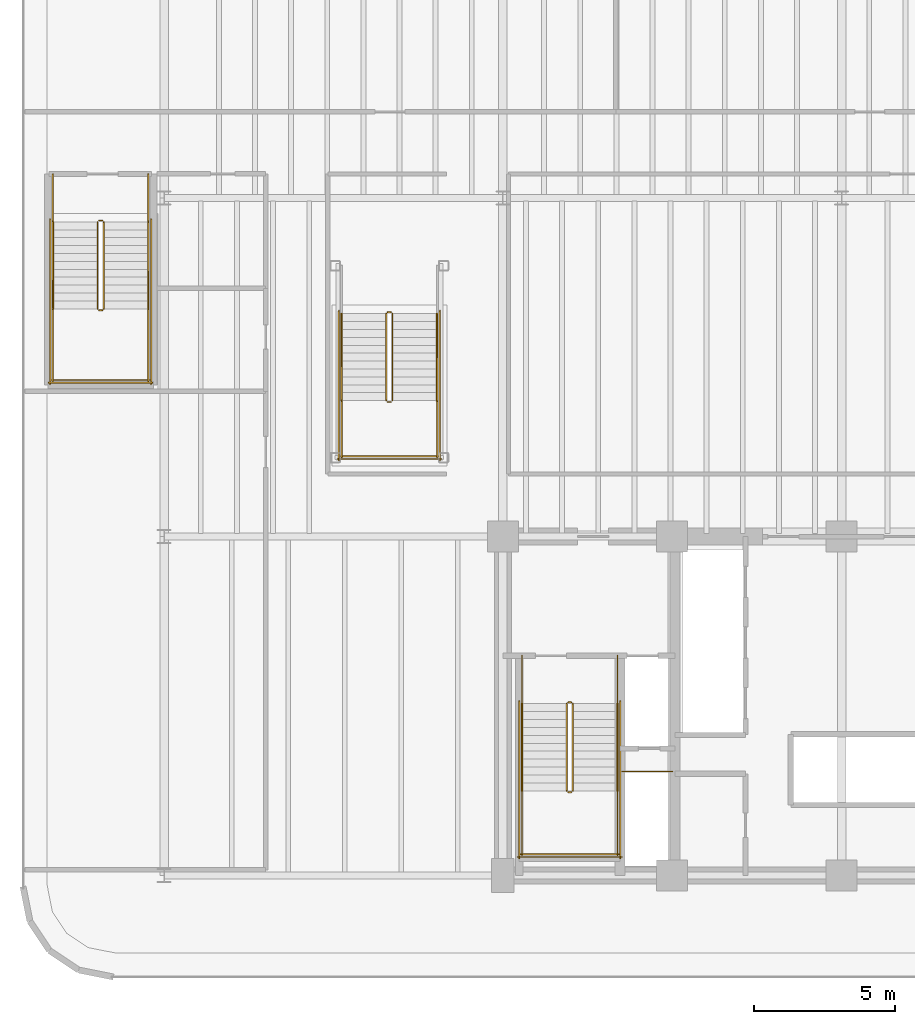
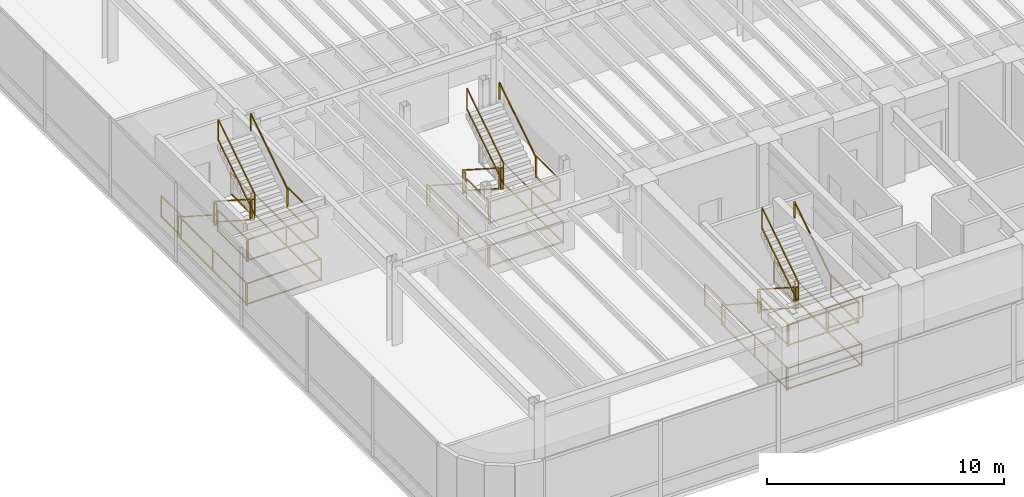
# One storey, part 17 of 19: 41 railings.
"""IFC4 building model written with IfcOpenShell, lengths in metres."""

from ifc_helpers import new_model, si_unit, direction, frame, origin, origin_2d, place, context, subcontext, project, spatial, rectangle, extrude, material, layer, layer_set, type_object, element, save


model = new_model("IFC4")

# Units and contexts
model_context = context("Model", 3, precision=1e-05, world=origin(), true_north=direction((0.0, 1.0)))
body_context = subcontext(model_context, "Body", "Model", "MODEL_VIEW")
ifc_project = project(units=[si_unit("LENGTHUNIT", "METRE"), si_unit("AREAUNIT", "SQUARE_METRE"), si_unit("VOLUMEUNIT", "CUBIC_METRE"), si_unit("PLANEANGLEUNIT", "RADIAN"), si_unit("MASSUNIT", "GRAM", prefix="KILO")], contexts=[model_context])

# Site, building, storey
site_placement = place(None, origin())
site = spatial("IfcSite", under=ifc_project, at=site_placement, CompositionType="ELEMENT")
building_placement = place(site_placement, origin())
building = spatial("IfcBuilding", under=site, at=building_placement, Name="Brelvock Crest Care Tower", CompositionType="ELEMENT")
storey_placement = place(building_placement, frame((0.0, 0.0, 14.0400390625)))
storey = spatial("IfcBuildingStorey", under=building, at=storey_placement, Name="L03", CompositionType="ELEMENT", Elevation=14.0400390625)

# Railings
ifc_material = material(Name="Steel Grade 350", Category="steel")
ifc_layer_1 = layer(ifc_material, 0.050048828125, Name="RL-STG1")
ifc_layer_set_1 = layer_set([ifc_layer_1], Name="Steel Grade 350")
railing_type_1 = type_object("IfcRailingType", Name="RL-STG1", PredefinedType="GUARDRAIL", material=ifc_layer_set_1)
railing_1_placement = place(storey_placement, frame((26.260009765625, 12.080078125, 0.179931640625)))
element("IfcRailing", 1, at=railing_1_placement, inside=storey, type_object=railing_type_1, Name="L03 ST-1 stair guard 1", PredefinedType="GUARDRAIL", context=body_context, shape_type="SweptSolid", body=[
    extrude(rectangle(XDim=0.048095703125, YDim=0.048095703125, at=origin_2d()), frame((0.0, -0.001708984375, 1.116943359375), z_axis=(0.0, -0.84118714077, 0.540744111576), x_axis=(1.0, 0.0, 0.0)), (0.0, 0.0, 1.0), 3.657470703125),
    extrude(rectangle(XDim=0.048095703125, YDim=0.048095703125, at=origin_2d()), frame((0.0, -0.001708984375, 0.05615234375), z_axis=(0.0, -0.84118714077, 0.540744111576), x_axis=(1.0, 0.0, 0.0)), (0.0, 0.0, 1.0), 3.657470703125),
    extrude(rectangle(XDim=0.0419921875, YDim=0.0419921875, at=origin_2d()), origin(), (0.0, 0.0, 1.0), 1.08984375),
    extrude(rectangle(XDim=0.0419921875, YDim=0.0419921875, at=origin_2d()), frame((0.0, -3.080078125, 1.97998046875)), (0.0, 0.0, 1.0), 1.08984375),
])
railing_2_placement = place(storey_placement, frame((26.31005859375, 8.949951171875, 2.159912109375)))
element("IfcRailing", 2, at=railing_2_placement, inside=storey, type_object=railing_type_1, Name="L03 ST-1 stair guard 2", PredefinedType="GUARDRAIL", context=body_context, shape_type="SweptSolid", body=[
    extrude(rectangle(XDim=0.048095703125, YDim=0.048095703125, at=origin_2d()), frame((0.001953125, 0.0, 1.11572265625), z_axis=(1.0, 0.0, 0.0), x_axis=(0.0, 1.0, 0.0)), (0.0, 0.0, 1.0), 0.115966796875),
    extrude(rectangle(XDim=0.048095703125, YDim=0.048095703125, at=origin_2d()), frame((0.001953125, 0.0, 0.054931640625), z_axis=(1.0, 0.0, 0.0), x_axis=(0.0, 1.0, 0.0)), (0.0, 0.0, 1.0), 0.115966796875),
    extrude(rectangle(XDim=0.0419921875, YDim=0.0419921875, at=origin_2d()), origin(), (0.0, 0.0, 1.0), 1.08984375),
    extrude(rectangle(XDim=0.0419921875, YDim=0.0419921875, at=origin_2d()), frame((0.119873046875, 0.0, 0.0)), (0.0, 0.0, 1.0), 1.08984375),
])
for number, where, name in (
    (3, (24.679931640625, 9.0, 2.159912109375), "L03 ST-1 stair guard 3"),
    (4, (28.06005859375, 9.0, 2.159912109375), "L03 ST-1 stair guard 4"),
):
    element("IfcRailing", number, at=place(storey_placement, frame(where)), inside=storey, type_object=railing_type_1, Name=name, PredefinedType="GUARDRAIL", context=body_context, shape_type="SweptSolid", body=[
        extrude(rectangle(XDim=0.048095703125, YDim=0.048095703125, at=origin_2d()), frame((0.0, -0.001953125, 1.11572265625), z_axis=(0.0, -1.0, 0.0), x_axis=(1.0, 0.0, 0.0)), (0.0, 0.0, 1.0), 2.296142578125),
        extrude(rectangle(XDim=0.048095703125, YDim=0.048095703125, at=origin_2d()), frame((0.0, -0.001953125, 0.054931640625), z_axis=(0.0, -1.0, 0.0), x_axis=(1.0, 0.0, 0.0)), (0.0, 0.0, 1.0), 2.296142578125),
        extrude(rectangle(XDim=0.0419921875, YDim=0.0419921875, at=origin_2d()), origin(), (0.0, 0.0, 1.0), 1.08984375),
        extrude(rectangle(XDim=0.0419921875, YDim=0.0419921875, at=origin_2d()), frame((0.0, -2.300048828125, 0.0)), (0.0, 0.0, 1.0), 1.08984375),
    ])
railing_3_placement = place(storey_placement, frame((24.6298828125, 6.75, 2.159912109375)))
element("IfcRailing", 5, at=railing_3_placement, inside=storey, type_object=railing_type_1, Name="L03 ST-1 stair guard 5", PredefinedType="GUARDRAIL", context=body_context, shape_type="SweptSolid", body=[
    extrude(rectangle(XDim=0.048095703125, YDim=0.048095703125, at=origin_2d()), frame((0.001953125, 0.0, 1.11572265625), z_axis=(1.0, 0.0, 0.0), x_axis=(0.0, 1.0, 0.0)), (0.0, 0.0, 1.0), 3.476318359375),
    extrude(rectangle(XDim=0.048095703125, YDim=0.048095703125, at=origin_2d()), frame((0.001953125, 0.0, 0.054931640625), z_axis=(1.0, 0.0, 0.0), x_axis=(0.0, 1.0, 0.0)), (0.0, 0.0, 1.0), 3.476318359375),
    extrude(rectangle(XDim=0.0419921875, YDim=0.0419921875, at=origin_2d()), origin(), (0.0, 0.0, 1.0), 1.08984375),
    extrude(rectangle(XDim=0.0419921875, YDim=0.0419921875, at=origin_2d()), frame((3.480224609375, 0.0, 0.0)), (0.0, 0.0, 1.0), 1.08984375),
])
railing_4_placement = place(storey_placement, frame((26.47998046875, 9.0, 2.33984375)))
element("IfcRailing", 6, at=railing_4_placement, inside=storey, type_object=railing_type_1, Name="L03 ST-1 stair guard 6", PredefinedType="GUARDRAIL", context=body_context, shape_type="SweptSolid", body=[
    extrude(rectangle(XDim=0.048095703125, YDim=0.048095703125, at=origin_2d()), frame((0.0, 0.001708984375, 1.116943359375), z_axis=(0.0, 0.84115681173, 0.540791288835), x_axis=(-1.0, 0.0, 0.0)), (0.0, 0.0, 1.0), 3.65771484375),
    extrude(rectangle(XDim=0.048095703125, YDim=0.048095703125, at=origin_2d()), frame((0.0, 0.001708984375, 0.05615234375), z_axis=(0.0, 0.84115681173, 0.540791288835), x_axis=(-1.0, 0.0, 0.0)), (0.0, 0.0, 1.0), 3.65771484375),
    extrude(rectangle(XDim=0.0419921875, YDim=0.0419921875, at=origin_2d()), origin(), (0.0, 0.0, 1.0), 1.08984375),
    extrude(rectangle(XDim=0.0419921875, YDim=0.0419921875, at=origin_2d()), frame((0.0, 3.080078125, 1.980224609375)), (0.0, 0.0, 1.0), 1.08984375),
])
railing_5_placement = place(storey_placement, frame((26.31005859375, 12.1298828125, 0.0)))
element("IfcRailing", 7, at=railing_5_placement, inside=storey, type_object=railing_type_1, Name="L03 ST-1 stair guard 7", PredefinedType="GUARDRAIL", context=body_context, shape_type="SweptSolid", body=[
    extrude(rectangle(XDim=0.048095703125, YDim=0.048095703125, at=origin_2d()), frame((0.001953125, 0.0, 1.11572265625), z_axis=(1.0, 0.0, 0.0), x_axis=(0.0, 1.0, 0.0)), (0.0, 0.0, 1.0), 0.115966796875),
    extrude(rectangle(XDim=0.048095703125, YDim=0.048095703125, at=origin_2d()), frame((0.001953125, 0.0, 0.054931640625), z_axis=(1.0, 0.0, 0.0), x_axis=(0.0, 1.0, 0.0)), (0.0, 0.0, 1.0), 0.115966796875),
    extrude(rectangle(XDim=0.0419921875, YDim=0.0419921875, at=origin_2d()), origin(), (0.0, 0.0, 1.0), 1.08984375),
    extrude(rectangle(XDim=0.0419921875, YDim=0.0419921875, at=origin_2d()), frame((0.119873046875, 0.0, 0.0)), (0.0, 0.0, 1.0), 1.08984375),
])
for number, where, name in (
    (8, (24.679931640625, 13.780029296875, 0.0), "L03 ST-1 stair guard 8"),
    (9, (28.06005859375, 13.780029296875, 0.0), "L03 ST-1 stair guard 9"),
):
    element("IfcRailing", number, at=place(storey_placement, frame(where)), inside=storey, type_object=railing_type_1, Name=name, PredefinedType="GUARDRAIL", context=body_context, shape_type="SweptSolid", body=[
        extrude(rectangle(XDim=0.048095703125, YDim=0.048095703125, at=origin_2d()), frame((0.0, -0.001953125, 1.11572265625), z_axis=(0.0, -1.0, 0.0), x_axis=(1.0, 0.0, 0.0)), (0.0, 0.0, 1.0), 1.696044921875),
        extrude(rectangle(XDim=0.048095703125, YDim=0.048095703125, at=origin_2d()), frame((0.0, -0.001953125, 0.054931640625), z_axis=(0.0, -1.0, 0.0), x_axis=(1.0, 0.0, 0.0)), (0.0, 0.0, 1.0), 1.696044921875),
        extrude(rectangle(XDim=0.0419921875, YDim=0.0419921875, at=origin_2d()), origin(), (0.0, 0.0, 1.0), 1.08984375),
        extrude(rectangle(XDim=0.0419921875, YDim=0.0419921875, at=origin_2d()), frame((0.0, -1.699951171875, 0.0)), (0.0, 0.0, 1.0), 1.08984375),
    ])
for number, where, name in (
    (10, (24.580078125, 12.179931640625, 0.0), "L03 ST-1 stair guard 10"),
    (11, (28.159912109375, 12.179931640625, 0.0), "L03 ST-1 stair guard 11"),
):
    element("IfcRailing", number, at=place(storey_placement, frame(where)), inside=storey, type_object=railing_type_1, Name=name, PredefinedType="GUARDRAIL", context=body_context, shape_type="SweptSolid", body=[
        extrude(rectangle(XDim=0.048095703125, YDim=0.048095703125, at=origin_2d()), frame((0.0, -0.001953125, 1.11572265625), z_axis=(0.0, -1.0, 0.0), x_axis=(1.0, 0.0, 0.0)), (0.0, 0.0, 1.0), 5.575927734375),
        extrude(rectangle(XDim=0.048095703125, YDim=0.048095703125, at=origin_2d()), frame((0.0, -0.001953125, 0.054931640625), z_axis=(0.0, -1.0, 0.0), x_axis=(1.0, 0.0, 0.0)), (0.0, 0.0, 1.0), 5.575927734375),
        extrude(rectangle(XDim=0.0419921875, YDim=0.0419921875, at=origin_2d()), origin(), (0.0, 0.0, 1.0), 1.08984375),
        extrude(rectangle(XDim=0.0419921875, YDim=0.0419921875, at=origin_2d()), frame((0.0, -2.7900390625, 0.0)), (0.0, 0.0, 1.0), 1.08984375),
        extrude(rectangle(XDim=0.0419921875, YDim=0.0419921875, at=origin_2d()), frame((0.0, -5.579833984375, 0.0)), (0.0, 0.0, 1.0), 1.08984375),
    ])
railing_6_placement = place(storey_placement, frame((24.530029296875, 6.64990234375, 0.0)))
element("IfcRailing", 12, at=railing_6_placement, inside=storey, type_object=railing_type_1, Name="L03 ST-1 stair guard 12", PredefinedType="GUARDRAIL", context=body_context, shape_type="SweptSolid", body=[
    extrude(rectangle(XDim=0.048095703125, YDim=0.048095703125, at=origin_2d()), frame((0.001953125, 0.0, 1.11572265625), z_axis=(1.0, 0.0, 0.0), x_axis=(0.0, 1.0, 0.0)), (0.0, 0.0, 1.0), 3.676025390625),
    extrude(rectangle(XDim=0.048095703125, YDim=0.048095703125, at=origin_2d()), frame((0.001953125, 0.0, 0.054931640625), z_axis=(1.0, 0.0, 0.0), x_axis=(0.0, 1.0, 0.0)), (0.0, 0.0, 1.0), 3.676025390625),
    extrude(rectangle(XDim=0.0419921875, YDim=0.0419921875, at=origin_2d()), origin(), (0.0, 0.0, 1.0), 1.08984375),
    extrude(rectangle(XDim=0.0419921875, YDim=0.0419921875, at=origin_2d()), frame((3.679931640625, 0.0, 0.0)), (0.0, 0.0, 1.0), 1.08984375),
])
railing_7_placement = place(storey_placement, frame((9.639892578125, 29.14990234375, 0.179931640625)))
element("IfcRailing", 13, at=railing_7_placement, inside=storey, type_object=railing_type_1, Name="L03 ST-3 stair guard 1", PredefinedType="GUARDRAIL", context=body_context, shape_type="SweptSolid", body=[
    extrude(rectangle(XDim=0.048095703125, YDim=0.048095703125, at=origin_2d()), frame((0.0, -0.001708984375, 1.116943359375), z_axis=(0.0, -0.841167642724, 0.540774441735), x_axis=(1.0, 0.0, 0.0)), (0.0, 0.0, 1.0), 3.657470703125),
    extrude(rectangle(XDim=0.048095703125, YDim=0.048095703125, at=origin_2d()), frame((0.0, -0.001708984375, 0.05615234375), z_axis=(0.0, -0.841167642724, 0.540774441735), x_axis=(1.0, 0.0, 0.0)), (0.0, 0.0, 1.0), 3.657470703125),
    extrude(rectangle(XDim=0.0419921875, YDim=0.0419921875, at=origin_2d()), origin(), (0.0, 0.0, 1.0), 1.08984375),
    extrude(rectangle(XDim=0.0419921875, YDim=0.0419921875, at=origin_2d()), frame((0.0, -3.079833984375, 1.97998046875)), (0.0, 0.0, 1.0), 1.08984375),
])
railing_8_placement = place(storey_placement, frame((9.68994140625, 26.02001953125, 2.159912109375)))
element("IfcRailing", 14, at=railing_8_placement, inside=storey, type_object=railing_type_1, Name="L03 ST-3 stair guard 2", PredefinedType="GUARDRAIL", context=body_context, shape_type="SweptSolid", body=[
    extrude(rectangle(XDim=0.048095703125, YDim=0.048095703125, at=origin_2d()), frame((0.001953125, 0.0, 1.11572265625), z_axis=(1.0, 0.0, 0.0), x_axis=(0.0, 1.0, 0.0)), (0.0, 0.0, 1.0), 0.1162109375),
    extrude(rectangle(XDim=0.048095703125, YDim=0.048095703125, at=origin_2d()), frame((0.001953125, 0.0, 0.054931640625), z_axis=(1.0, 0.0, 0.0), x_axis=(0.0, 1.0, 0.0)), (0.0, 0.0, 1.0), 0.1162109375),
    extrude(rectangle(XDim=0.0419921875, YDim=0.0419921875, at=origin_2d()), origin(), (0.0, 0.0, 1.0), 1.08984375),
    extrude(rectangle(XDim=0.0419921875, YDim=0.0419921875, at=origin_2d()), frame((0.1201171875, 0.0, 0.0)), (0.0, 0.0, 1.0), 1.08984375),
])
for number, where, name in (
    (15, (8.06005859375, 26.070068359375, 2.159912109375), "L03 ST-3 stair guard 3"),
    (16, (11.43994140625, 26.070068359375, 2.159912109375), "L03 ST-3 stair guard 4"),
):
    element("IfcRailing", number, at=place(storey_placement, frame(where)), inside=storey, type_object=railing_type_1, Name=name, PredefinedType="GUARDRAIL", context=body_context, shape_type="SweptSolid", body=[
        extrude(rectangle(XDim=0.048095703125, YDim=0.048095703125, at=origin_2d()), frame((0.0, -0.001953125, 1.11572265625), z_axis=(0.0, -1.0, 0.0), x_axis=(1.0, 0.0, 0.0)), (0.0, 0.0, 1.0), 2.566162109375),
        extrude(rectangle(XDim=0.048095703125, YDim=0.048095703125, at=origin_2d()), frame((0.0, -0.001953125, 0.054931640625), z_axis=(0.0, -1.0, 0.0), x_axis=(1.0, 0.0, 0.0)), (0.0, 0.0, 1.0), 2.566162109375),
        extrude(rectangle(XDim=0.0419921875, YDim=0.0419921875, at=origin_2d()), origin(), (0.0, 0.0, 1.0), 1.08984375),
        extrude(rectangle(XDim=0.0419921875, YDim=0.0419921875, at=origin_2d()), frame((0.0, -2.570068359375, 0.0)), (0.0, 0.0, 1.0), 1.08984375),
    ])
railing_9_placement = place(storey_placement, frame((8.010009765625, 23.550048828125, 2.159912109375)))
element("IfcRailing", 17, at=railing_9_placement, inside=storey, type_object=railing_type_1, Name="L03 ST-3 stair guard 5", PredefinedType="GUARDRAIL", context=body_context, shape_type="SweptSolid", body=[
    extrude(rectangle(XDim=0.048095703125, YDim=0.048095703125, at=origin_2d()), frame((0.001953125, 0.0, 1.11572265625), z_axis=(1.0, 0.0, 0.0), x_axis=(0.0, 1.0, 0.0)), (0.0, 0.0, 1.0), 3.47607421875),
    extrude(rectangle(XDim=0.048095703125, YDim=0.048095703125, at=origin_2d()), frame((0.001953125, 0.0, 0.054931640625), z_axis=(1.0, 0.0, 0.0), x_axis=(0.0, 1.0, 0.0)), (0.0, 0.0, 1.0), 3.47607421875),
    extrude(rectangle(XDim=0.0419921875, YDim=0.0419921875, at=origin_2d()), origin(), (0.0, 0.0, 1.0), 1.08984375),
    extrude(rectangle(XDim=0.0419921875, YDim=0.0419921875, at=origin_2d()), frame((3.47998046875, 0.0, 0.0)), (0.0, 0.0, 1.0), 1.08984375),
])
railing_10_placement = place(storey_placement, frame((9.860107421875, 26.070068359375, 2.33984375)))
element("IfcRailing", 18, at=railing_10_placement, inside=storey, type_object=railing_type_1, Name="L03 ST-3 stair guard 6", PredefinedType="GUARDRAIL", context=body_context, shape_type="SweptSolid", body=[
    extrude(rectangle(XDim=0.048095703125, YDim=0.048095703125, at=origin_2d()), frame((0.0, 0.001708984375, 1.116943359375), z_axis=(0.0, 0.841137310985, 0.540821619453), x_axis=(-1.0, 0.0, 0.0)), (0.0, 0.0, 1.0), 3.657470703125),
    extrude(rectangle(XDim=0.048095703125, YDim=0.048095703125, at=origin_2d()), frame((0.0, 0.001708984375, 0.05615234375), z_axis=(0.0, 0.841137310985, 0.540821619453), x_axis=(-1.0, 0.0, 0.0)), (0.0, 0.0, 1.0), 3.657470703125),
    extrude(rectangle(XDim=0.0419921875, YDim=0.0419921875, at=origin_2d()), origin(), (0.0, 0.0, 1.0), 1.08984375),
    extrude(rectangle(XDim=0.0419921875, YDim=0.0419921875, at=origin_2d()), frame((0.0, 3.079833984375, 1.980224609375)), (0.0, 0.0, 1.0), 1.08984375),
])
railing_11_placement = place(storey_placement, frame((9.68994140625, 29.199951171875, 0.0)))
element("IfcRailing", 19, at=railing_11_placement, inside=storey, type_object=railing_type_1, Name="L03 ST-3 stair guard 7", PredefinedType="GUARDRAIL", context=body_context, shape_type="SweptSolid", body=[
    extrude(rectangle(XDim=0.048095703125, YDim=0.048095703125, at=origin_2d()), frame((0.001953125, 0.0, 1.11572265625), z_axis=(1.0, 0.0, 0.0), x_axis=(0.0, 1.0, 0.0)), (0.0, 0.0, 1.0), 0.1162109375),
    extrude(rectangle(XDim=0.048095703125, YDim=0.048095703125, at=origin_2d()), frame((0.001953125, 0.0, 0.054931640625), z_axis=(1.0, 0.0, 0.0), x_axis=(0.0, 1.0, 0.0)), (0.0, 0.0, 1.0), 0.1162109375),
    extrude(rectangle(XDim=0.0419921875, YDim=0.0419921875, at=origin_2d()), origin(), (0.0, 0.0, 1.0), 1.08984375),
    extrude(rectangle(XDim=0.0419921875, YDim=0.0419921875, at=origin_2d()), frame((0.1201171875, 0.0, 0.0)), (0.0, 0.0, 1.0), 1.08984375),
])
for number, where, name in (
    (20, (8.06005859375, 30.85009765625, 0.0), "L03 ST-3 stair guard 8"),
    (21, (11.43994140625, 30.85009765625, 0.0), "L03 ST-3 stair guard 9"),
):
    element("IfcRailing", number, at=place(storey_placement, frame(where)), inside=storey, type_object=railing_type_1, Name=name, PredefinedType="GUARDRAIL", context=body_context, shape_type="SweptSolid", body=[
        extrude(rectangle(XDim=0.048095703125, YDim=0.048095703125, at=origin_2d()), frame((0.0, -0.001953125, 1.11572265625), z_axis=(0.0, -1.0, 0.0), x_axis=(1.0, 0.0, 0.0)), (0.0, 0.0, 1.0), 1.6962890625),
        extrude(rectangle(XDim=0.048095703125, YDim=0.048095703125, at=origin_2d()), frame((0.0, -0.001953125, 0.054931640625), z_axis=(0.0, -1.0, 0.0), x_axis=(1.0, 0.0, 0.0)), (0.0, 0.0, 1.0), 1.6962890625),
        extrude(rectangle(XDim=0.0419921875, YDim=0.0419921875, at=origin_2d()), origin(), (0.0, 0.0, 1.0), 1.08984375),
        extrude(rectangle(XDim=0.0419921875, YDim=0.0419921875, at=origin_2d()), frame((0.0, -1.7001953125, 0.0)), (0.0, 0.0, 1.0), 1.08984375),
    ])
for number, where, name in (
    (22, (7.9599609375, 29.25, 0.0), "L03 ST-3 stair guard 10"),
    (23, (11.5400390625, 29.25, 0.0), "L03 ST-3 stair guard 11"),
):
    element("IfcRailing", number, at=place(storey_placement, frame(where)), inside=storey, type_object=railing_type_1, Name=name, PredefinedType="GUARDRAIL", context=body_context, shape_type="SweptSolid", body=[
        extrude(rectangle(XDim=0.048095703125, YDim=0.048095703125, at=origin_2d()), frame((0.0, -0.001953125, 1.11572265625), z_axis=(0.0, -1.0, 0.0), x_axis=(1.0, 0.0, 0.0)), (0.0, 0.0, 1.0), 5.84619140625),
        extrude(rectangle(XDim=0.048095703125, YDim=0.048095703125, at=origin_2d()), frame((0.0, -0.001953125, 0.054931640625), z_axis=(0.0, -1.0, 0.0), x_axis=(1.0, 0.0, 0.0)), (0.0, 0.0, 1.0), 5.84619140625),
        extrude(rectangle(XDim=0.0419921875, YDim=0.0419921875, at=origin_2d()), origin(), (0.0, 0.0, 1.0), 1.08984375),
        extrude(rectangle(XDim=0.0419921875, YDim=0.0419921875, at=origin_2d()), frame((0.0, -2.925048828125, 0.0)), (0.0, 0.0, 1.0), 1.08984375),
        extrude(rectangle(XDim=0.0419921875, YDim=0.0419921875, at=origin_2d()), frame((0.0, -5.85009765625, 0.0)), (0.0, 0.0, 1.0), 1.08984375),
    ])
railing_12_placement = place(storey_placement, frame((7.909912109375, 23.449951171875, 0.0)))
element("IfcRailing", 24, at=railing_12_placement, inside=storey, type_object=railing_type_1, Name="L03 ST-3 stair guard 12", PredefinedType="GUARDRAIL", context=body_context, shape_type="SweptSolid", body=[
    extrude(rectangle(XDim=0.048095703125, YDim=0.048095703125, at=origin_2d()), frame((0.001953125, 0.0, 1.11572265625), z_axis=(1.0, 0.0, 0.0), x_axis=(0.0, 1.0, 0.0)), (0.0, 0.0, 1.0), 3.67626953125),
    extrude(rectangle(XDim=0.048095703125, YDim=0.048095703125, at=origin_2d()), frame((0.001953125, 0.0, 0.054931640625), z_axis=(1.0, 0.0, 0.0), x_axis=(0.0, 1.0, 0.0)), (0.0, 0.0, 1.0), 3.67626953125),
    extrude(rectangle(XDim=0.0419921875, YDim=0.0419921875, at=origin_2d()), origin(), (0.0, 0.0, 1.0), 1.08984375),
    extrude(rectangle(XDim=0.0419921875, YDim=0.0419921875, at=origin_2d()), frame((3.68017578125, 0.0, 0.0)), (0.0, 0.0, 1.0), 1.08984375),
])
railing_13_placement = place(storey_placement, frame((19.8701171875, 25.89990234375, 0.179931640625)))
element("IfcRailing", 25, at=railing_13_placement, inside=storey, type_object=railing_type_1, Name="L03 ST-5 stair guard 1", PredefinedType="GUARDRAIL", context=body_context, shape_type="SweptSolid", body=[
    extrude(rectangle(XDim=0.048095703125, YDim=0.048095703125, at=origin_2d()), frame((0.0, -0.001708984375, 1.116943359375), z_axis=(0.0, -0.841167642724, 0.540774441735), x_axis=(1.0, 0.0, 0.0)), (0.0, 0.0, 1.0), 3.657470703125),
    extrude(rectangle(XDim=0.048095703125, YDim=0.048095703125, at=origin_2d()), frame((0.0, -0.001708984375, 0.05615234375), z_axis=(0.0, -0.841167642724, 0.540774441735), x_axis=(1.0, 0.0, 0.0)), (0.0, 0.0, 1.0), 3.657470703125),
    extrude(rectangle(XDim=0.0419921875, YDim=0.0419921875, at=origin_2d()), origin(), (0.0, 0.0, 1.0), 1.08984375),
    extrude(rectangle(XDim=0.0419921875, YDim=0.0419921875, at=origin_2d()), frame((0.0, -3.079833984375, 1.97998046875)), (0.0, 0.0, 1.0), 1.08984375),
])
railing_14_placement = place(storey_placement, frame((19.919921875, 22.77001953125, 2.159912109375)))
element("IfcRailing", 26, at=railing_14_placement, inside=storey, type_object=railing_type_1, Name="L03 ST-5 stair guard 2", PredefinedType="GUARDRAIL", context=body_context, shape_type="SweptSolid", body=[
    extrude(rectangle(XDim=0.048095703125, YDim=0.048095703125, at=origin_2d()), frame((0.001953125, 0.0, 1.11572265625), z_axis=(1.0, 0.0, 0.0), x_axis=(0.0, 1.0, 0.0)), (0.0, 0.0, 1.0), 0.1162109375),
    extrude(rectangle(XDim=0.048095703125, YDim=0.048095703125, at=origin_2d()), frame((0.001953125, 0.0, 0.054931640625), z_axis=(1.0, 0.0, 0.0), x_axis=(0.0, 1.0, 0.0)), (0.0, 0.0, 1.0), 0.1162109375),
    extrude(rectangle(XDim=0.0419921875, YDim=0.0419921875, at=origin_2d()), origin(), (0.0, 0.0, 1.0), 1.08984375),
    extrude(rectangle(XDim=0.0419921875, YDim=0.0419921875, at=origin_2d()), frame((0.1201171875, 0.0, 0.0)), (0.0, 0.0, 1.0), 1.08984375),
])
for number, where, name in (
    (27, (18.2900390625, 22.820068359375, 2.159912109375), "L03 ST-5 stair guard 3"),
    (28, (21.669921875, 22.820068359375, 2.159912109375), "L03 ST-5 stair guard 4"),
):
    element("IfcRailing", number, at=place(storey_placement, frame(where)), inside=storey, type_object=railing_type_1, Name=name, PredefinedType="GUARDRAIL", context=body_context, shape_type="SweptSolid", body=[
        extrude(rectangle(XDim=0.048095703125, YDim=0.048095703125, at=origin_2d()), frame((0.0, -0.001953125, 1.11572265625), z_axis=(0.0, -1.0, 0.0), x_axis=(1.0, 0.0, 0.0)), (0.0, 0.0, 1.0), 2.01611328125),
        extrude(rectangle(XDim=0.048095703125, YDim=0.048095703125, at=origin_2d()), frame((0.0, -0.001953125, 0.054931640625), z_axis=(0.0, -1.0, 0.0), x_axis=(1.0, 0.0, 0.0)), (0.0, 0.0, 1.0), 2.01611328125),
        extrude(rectangle(XDim=0.0419921875, YDim=0.0419921875, at=origin_2d()), origin(), (0.0, 0.0, 1.0), 1.08984375),
        extrude(rectangle(XDim=0.0419921875, YDim=0.0419921875, at=origin_2d()), frame((0.0, -2.02001953125, 0.0)), (0.0, 0.0, 1.0), 1.08984375),
    ])
railing_15_placement = place(storey_placement, frame((18.239990234375, 20.85009765625, 2.159912109375)))
element("IfcRailing", 29, at=railing_15_placement, inside=storey, type_object=railing_type_1, Name="L03 ST-5 stair guard 5", PredefinedType="GUARDRAIL", context=body_context, shape_type="SweptSolid", body=[
    extrude(rectangle(XDim=0.048095703125, YDim=0.048095703125, at=origin_2d()), frame((0.001953125, 0.0, 1.11572265625), z_axis=(1.0, 0.0, 0.0), x_axis=(0.0, 1.0, 0.0)), (0.0, 0.0, 1.0), 3.47607421875),
    extrude(rectangle(XDim=0.048095703125, YDim=0.048095703125, at=origin_2d()), frame((0.001953125, 0.0, 0.054931640625), z_axis=(1.0, 0.0, 0.0), x_axis=(0.0, 1.0, 0.0)), (0.0, 0.0, 1.0), 3.47607421875),
    extrude(rectangle(XDim=0.0419921875, YDim=0.0419921875, at=origin_2d()), origin(), (0.0, 0.0, 1.0), 1.08984375),
    extrude(rectangle(XDim=0.0419921875, YDim=0.0419921875, at=origin_2d()), frame((3.47998046875, 0.0, 0.0)), (0.0, 0.0, 1.0), 1.08984375),
])
railing_16_placement = place(storey_placement, frame((20.090087890625, 22.820068359375, 2.33984375)))
element("IfcRailing", 30, at=railing_16_placement, inside=storey, type_object=railing_type_1, Name="L03 ST-5 stair guard 6", PredefinedType="GUARDRAIL", context=body_context, shape_type="SweptSolid", body=[
    extrude(rectangle(XDim=0.048095703125, YDim=0.048095703125, at=origin_2d()), frame((0.0, 0.001708984375, 1.116943359375), z_axis=(0.0, 0.841137310985, 0.540821619453), x_axis=(-1.0, 0.0, 0.0)), (0.0, 0.0, 1.0), 3.657470703125),
    extrude(rectangle(XDim=0.048095703125, YDim=0.048095703125, at=origin_2d()), frame((0.0, 0.001708984375, 0.05615234375), z_axis=(0.0, 0.841137310985, 0.540821619453), x_axis=(-1.0, 0.0, 0.0)), (0.0, 0.0, 1.0), 3.657470703125),
    extrude(rectangle(XDim=0.0419921875, YDim=0.0419921875, at=origin_2d()), origin(), (0.0, 0.0, 1.0), 1.08984375),
    extrude(rectangle(XDim=0.0419921875, YDim=0.0419921875, at=origin_2d()), frame((0.0, 3.079833984375, 1.980224609375)), (0.0, 0.0, 1.0), 1.08984375),
])
railing_17_placement = place(storey_placement, frame((19.919921875, 25.949951171875, 0.0)))
element("IfcRailing", 31, at=railing_17_placement, inside=storey, type_object=railing_type_1, Name="L03 ST-5 stair guard 7", PredefinedType="GUARDRAIL", context=body_context, shape_type="SweptSolid", body=[
    extrude(rectangle(XDim=0.048095703125, YDim=0.048095703125, at=origin_2d()), frame((0.001953125, 0.0, 1.11572265625), z_axis=(1.0, 0.0, 0.0), x_axis=(0.0, 1.0, 0.0)), (0.0, 0.0, 1.0), 0.1162109375),
    extrude(rectangle(XDim=0.048095703125, YDim=0.048095703125, at=origin_2d()), frame((0.001953125, 0.0, 0.054931640625), z_axis=(1.0, 0.0, 0.0), x_axis=(0.0, 1.0, 0.0)), (0.0, 0.0, 1.0), 0.1162109375),
    extrude(rectangle(XDim=0.0419921875, YDim=0.0419921875, at=origin_2d()), origin(), (0.0, 0.0, 1.0), 1.08984375),
    extrude(rectangle(XDim=0.0419921875, YDim=0.0419921875, at=origin_2d()), frame((0.1201171875, 0.0, 0.0)), (0.0, 0.0, 1.0), 1.08984375),
])
for number, where, name in (
    (32, (18.18994140625, 26.0, 0.0), "L03 ST-5 stair guard 10"),
    (33, (21.77001953125, 26.0, 0.0), "L03 ST-5 stair guard 11"),
):
    element("IfcRailing", number, at=place(storey_placement, frame(where)), inside=storey, type_object=railing_type_1, Name=name, PredefinedType="GUARDRAIL", context=body_context, shape_type="SweptSolid", body=[
        extrude(rectangle(XDim=0.048095703125, YDim=0.048095703125, at=origin_2d()), frame((0.0, -0.001953125, 1.11572265625), z_axis=(0.0, -1.0, 0.0), x_axis=(1.0, 0.0, 0.0)), (0.0, 0.0, 1.0), 5.296142578125),
        extrude(rectangle(XDim=0.048095703125, YDim=0.048095703125, at=origin_2d()), frame((0.0, -0.001953125, 0.054931640625), z_axis=(0.0, -1.0, 0.0), x_axis=(1.0, 0.0, 0.0)), (0.0, 0.0, 1.0), 5.296142578125),
        extrude(rectangle(XDim=0.0419921875, YDim=0.0419921875, at=origin_2d()), origin(), (0.0, 0.0, 1.0), 1.08984375),
        extrude(rectangle(XDim=0.0419921875, YDim=0.0419921875, at=origin_2d()), frame((0.0, -2.64990234375, 0.0)), (0.0, 0.0, 1.0), 1.08984375),
        extrude(rectangle(XDim=0.0419921875, YDim=0.0419921875, at=origin_2d()), frame((0.0, -5.300048828125, 0.0)), (0.0, 0.0, 1.0), 1.08984375),
    ])
railing_18_placement = place(storey_placement, frame((18.139892578125, 20.75, 0.0)))
element("IfcRailing", 34, at=railing_18_placement, inside=storey, type_object=railing_type_1, Name="L03 ST-5 stair guard 12", PredefinedType="GUARDRAIL", context=body_context, shape_type="SweptSolid", body=[
    extrude(rectangle(XDim=0.048095703125, YDim=0.048095703125, at=origin_2d()), frame((0.001953125, 0.0, 1.11572265625), z_axis=(1.0, 0.0, 0.0), x_axis=(0.0, 1.0, 0.0)), (0.0, 0.0, 1.0), 3.67626953125),
    extrude(rectangle(XDim=0.048095703125, YDim=0.048095703125, at=origin_2d()), frame((0.001953125, 0.0, 0.054931640625), z_axis=(1.0, 0.0, 0.0), x_axis=(0.0, 1.0, 0.0)), (0.0, 0.0, 1.0), 3.67626953125),
    extrude(rectangle(XDim=0.0419921875, YDim=0.0419921875, at=origin_2d()), origin(), (0.0, 0.0, 1.0), 1.08984375),
    extrude(rectangle(XDim=0.0419921875, YDim=0.0419921875, at=origin_2d()), frame((3.68017578125, 0.0, 0.0)), (0.0, 0.0, 1.0), 1.08984375),
])
railing_19_placement = place(storey_placement, frame((28.219970703125, 9.679931640625, 0.0)))
element("IfcRailing", 35, at=railing_19_placement, inside=storey, type_object=railing_type_1, Name="L03 Fire Riser Threshold Guard", PredefinedType="GUARDRAIL", context=body_context, shape_type="SweptSolid", body=[
    extrude(rectangle(XDim=0.048095703125, YDim=0.048095703125, at=origin_2d()), frame((0.001953125, 0.0, 1.11572265625), z_axis=(1.0, 0.0, 0.0), x_axis=(0.0, 1.0, 0.0)), (0.0, 0.0, 1.0), 1.776123046875),
    extrude(rectangle(XDim=0.048095703125, YDim=0.048095703125, at=origin_2d()), frame((0.001953125, 0.0, 0.054931640625), z_axis=(1.0, 0.0, 0.0), x_axis=(0.0, 1.0, 0.0)), (0.0, 0.0, 1.0), 1.776123046875),
    extrude(rectangle(XDim=0.0419921875, YDim=0.0419921875, at=origin_2d()), origin(), (0.0, 0.0, 1.0), 1.08984375),
    extrude(rectangle(XDim=0.0419921875, YDim=0.0419921875, at=origin_2d()), frame((1.780029296875, 0.0, 0.0)), (0.0, 0.0, 1.0), 1.08984375),
])
ifc_layer_2 = layer(ifc_material, 0.048095703125, Name="RL-STH1")
ifc_layer_set_2 = layer_set([ifc_layer_2], Name="Steel Grade 350")
railing_type_2 = type_object("IfcRailingType", Name="RL-STH1", PredefinedType="HANDRAIL", material=ifc_layer_set_2)
railing_20_placement = place(storey_placement, frame((24.679931640625, 12.080078125, 0.179931640625)))
element("IfcRailing", 36, at=railing_20_placement, inside=storey, type_object=railing_type_2, Name="L03 ST-1 stair handrail 1", PredefinedType="HANDRAIL", context=body_context, shape_type="SweptSolid", body=[
    extrude(rectangle(XDim=0.048095703125, YDim=0.048095703125, at=origin_2d()), frame((0.0, -0.001708984375, 0.876953125), z_axis=(0.0, -0.84118714077, 0.540744111576), x_axis=(1.0, 0.0, 0.0)), (0.0, 0.0, 1.0), 3.657470703125),
    extrude(rectangle(XDim=0.0419921875, YDim=0.0419921875, at=origin_2d()), origin(), (0.0, 0.0, 1.0), 0.849853515625),
    extrude(rectangle(XDim=0.0419921875, YDim=0.0419921875, at=origin_2d()), frame((0.0, -3.080078125, 1.97998046875)), (0.0, 0.0, 1.0), 0.849853515625),
])
railing_21_placement = place(storey_placement, frame((28.06005859375, 9.0, 2.33984375)))
element("IfcRailing", 37, at=railing_21_placement, inside=storey, type_object=railing_type_2, Name="L03 ST-1 stair handrail 2", PredefinedType="HANDRAIL", context=body_context, shape_type="SweptSolid", body=[
    extrude(rectangle(XDim=0.048095703125, YDim=0.048095703125, at=origin_2d()), frame((0.0, 0.001708984375, 0.876953125), z_axis=(0.0, 0.84115681173, 0.540791288835), x_axis=(-1.0, 0.0, 0.0)), (0.0, 0.0, 1.0), 3.65771484375),
    extrude(rectangle(XDim=0.0419921875, YDim=0.0419921875, at=origin_2d()), origin(), (0.0, 0.0, 1.0), 0.849853515625),
    extrude(rectangle(XDim=0.0419921875, YDim=0.0419921875, at=origin_2d()), frame((0.0, 3.080078125, 1.980224609375)), (0.0, 0.0, 1.0), 0.849853515625),
])
railing_22_placement = place(storey_placement, frame((8.06005859375, 29.14990234375, 0.179931640625)))
element("IfcRailing", 38, at=railing_22_placement, inside=storey, type_object=railing_type_2, Name="L03 ST-3 stair handrail 1", PredefinedType="HANDRAIL", context=body_context, shape_type="SweptSolid", body=[
    extrude(rectangle(XDim=0.048095703125, YDim=0.048095703125, at=origin_2d()), frame((0.0, -0.001708984375, 0.876953125), z_axis=(0.0, -0.841167642724, 0.540774441735), x_axis=(1.0, 0.0, 0.0)), (0.0, 0.0, 1.0), 3.657470703125),
    extrude(rectangle(XDim=0.0419921875, YDim=0.0419921875, at=origin_2d()), origin(), (0.0, 0.0, 1.0), 0.849853515625),
    extrude(rectangle(XDim=0.0419921875, YDim=0.0419921875, at=origin_2d()), frame((0.0, -3.079833984375, 1.97998046875)), (0.0, 0.0, 1.0), 0.849853515625),
])
railing_23_placement = place(storey_placement, frame((11.43994140625, 26.070068359375, 2.33984375)))
element("IfcRailing", 39, at=railing_23_placement, inside=storey, type_object=railing_type_2, Name="L03 ST-3 stair handrail 2", PredefinedType="HANDRAIL", context=body_context, shape_type="SweptSolid", body=[
    extrude(rectangle(XDim=0.048095703125, YDim=0.048095703125, at=origin_2d()), frame((0.0, 0.001708984375, 0.876953125), z_axis=(0.0, 0.841137310985, 0.540821619453), x_axis=(-1.0, 0.0, 0.0)), (0.0, 0.0, 1.0), 3.657470703125),
    extrude(rectangle(XDim=0.0419921875, YDim=0.0419921875, at=origin_2d()), origin(), (0.0, 0.0, 1.0), 0.849853515625),
    extrude(rectangle(XDim=0.0419921875, YDim=0.0419921875, at=origin_2d()), frame((0.0, 3.079833984375, 1.980224609375)), (0.0, 0.0, 1.0), 0.849853515625),
])
railing_24_placement = place(storey_placement, frame((18.2900390625, 25.89990234375, 0.179931640625)))
element("IfcRailing", 40, at=railing_24_placement, inside=storey, type_object=railing_type_2, Name="L03 ST-5 stair handrail 1", PredefinedType="HANDRAIL", context=body_context, shape_type="SweptSolid", body=[
    extrude(rectangle(XDim=0.048095703125, YDim=0.048095703125, at=origin_2d()), frame((0.0, -0.001708984375, 0.876953125), z_axis=(0.0, -0.841167642724, 0.540774441735), x_axis=(1.0, 0.0, 0.0)), (0.0, 0.0, 1.0), 3.657470703125),
    extrude(rectangle(XDim=0.0419921875, YDim=0.0419921875, at=origin_2d()), origin(), (0.0, 0.0, 1.0), 0.849853515625),
    extrude(rectangle(XDim=0.0419921875, YDim=0.0419921875, at=origin_2d()), frame((0.0, -3.079833984375, 1.97998046875)), (0.0, 0.0, 1.0), 0.849853515625),
])
railing_25_placement = place(storey_placement, frame((21.669921875, 22.820068359375, 2.33984375)))
element("IfcRailing", 41, at=railing_25_placement, inside=storey, type_object=railing_type_2, Name="L03 ST-5 stair handrail 2", PredefinedType="HANDRAIL", context=body_context, shape_type="SweptSolid", body=[
    extrude(rectangle(XDim=0.048095703125, YDim=0.048095703125, at=origin_2d()), frame((0.0, 0.001708984375, 0.876953125), z_axis=(0.0, 0.841137310985, 0.540821619453), x_axis=(-1.0, 0.0, 0.0)), (0.0, 0.0, 1.0), 3.657470703125),
    extrude(rectangle(XDim=0.0419921875, YDim=0.0419921875, at=origin_2d()), origin(), (0.0, 0.0, 1.0), 0.849853515625),
    extrude(rectangle(XDim=0.0419921875, YDim=0.0419921875, at=origin_2d()), frame((0.0, 3.079833984375, 1.980224609375)), (0.0, 0.0, 1.0), 0.849853515625),
])

save(model, "model.ifc")
